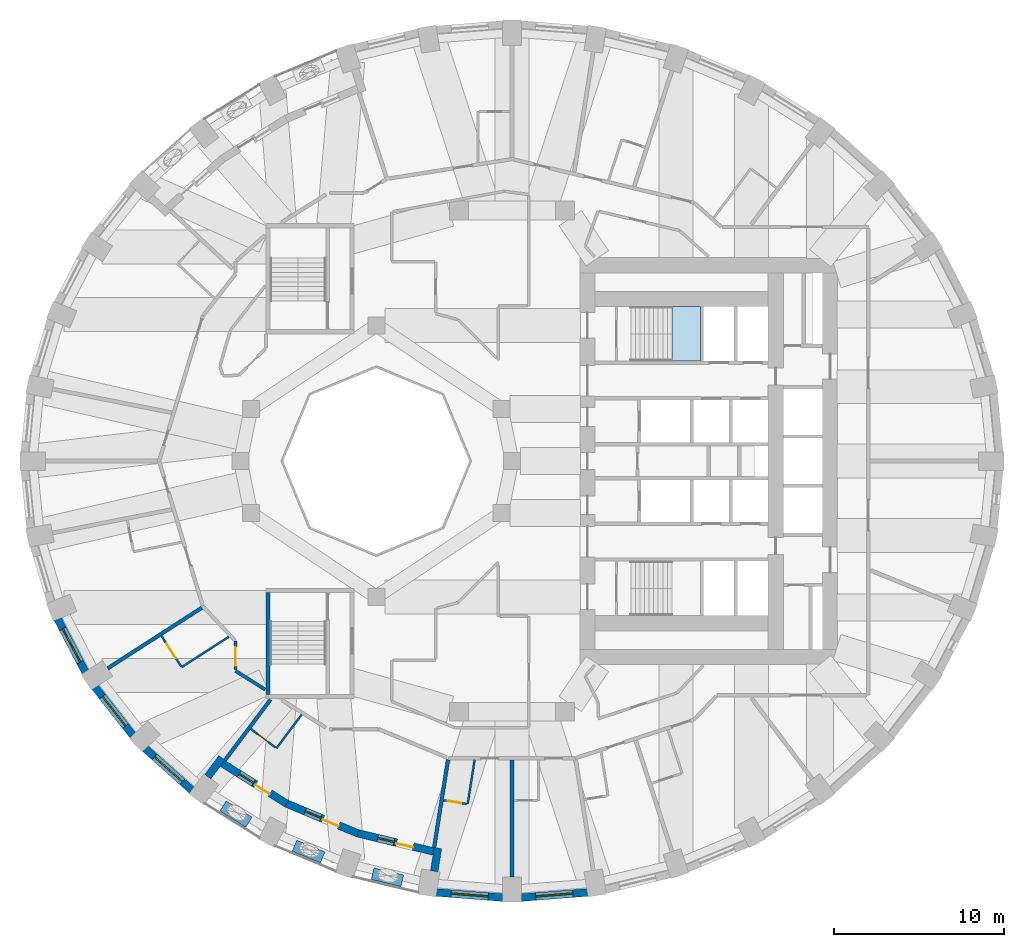
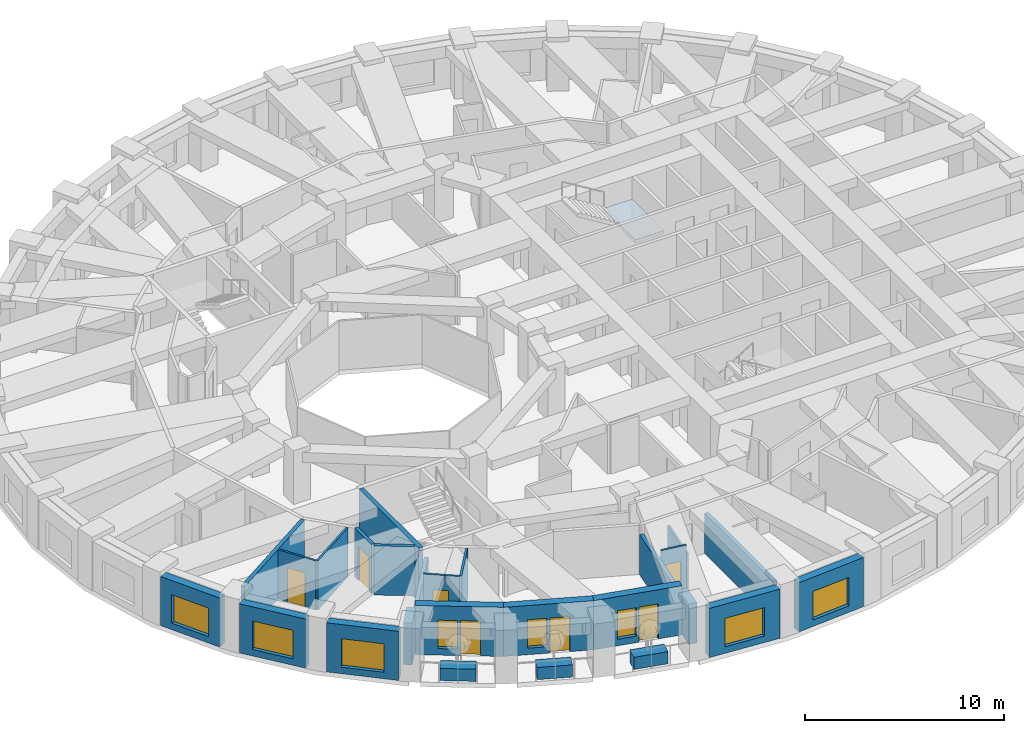
# One storey, part 3 of 13: 26 walls, 8 windows, 7 doors, 1 slab, 15 openings, 1 element without a shape of its own.
"""IFC4 building model written with IfcOpenShell, lengths in metres."""

from ifc_helpers import new_model, si_unit, direction, frame, frame_2d, origin, place, context, subcontext, project, spatial, polyline, rectangle, outline, extrude, material, layer, layer_set, constituent, constituent_set, type_object, element, fill, aggregate, save


model = new_model("IFC4")

# Units and contexts
model_context = context("Model", 3, precision=1e-05, world=origin(), true_north=direction((0.0, 1.0)))
body_context = subcontext(model_context, "Body", "Model", "MODEL_VIEW")
ifc_project = project(units=[si_unit("LENGTHUNIT", "METRE"), si_unit("AREAUNIT", "SQUARE_METRE"), si_unit("VOLUMEUNIT", "CUBIC_METRE"), si_unit("PLANEANGLEUNIT", "RADIAN"), si_unit("MASSUNIT", "GRAM", prefix="KILO")], contexts=[model_context])

# Site, building, storey
site_placement = place(None, origin())
site = spatial("IfcSite", under=ifc_project, at=site_placement, CompositionType="ELEMENT")
building_placement = place(site_placement, origin())
building = spatial("IfcBuilding", under=site, at=building_placement, Name="Taillehof Tower", CompositionType="ELEMENT")
storey_placement = place(building_placement, frame((0.0, 0.0, 48.10009765625)))
storey = spatial("IfcBuildingStorey", under=building, at=storey_placement, Name="L12", CompositionType="ELEMENT", Elevation=48.10009765625)

# Stair, slab
ifc_material_1 = material(Name="Concrete C40/50", Category="concrete")
stair_type = type_object("IfcStairType", Name="Exit stair half-turn", PredefinedType="HALF_TURN_STAIR", material=ifc_material_1)
stair_placement = place(storey_placement, origin())
stair = element("IfcStair", 1, at=stair_placement, inside=storey, type_object=stair_type, Name="Exit stair S1", PredefinedType="HALF_TURN_STAIR")
ifc_material_2 = material(Name="Concrete C40/50", Category="concrete")
ifc_layer_1 = layer(ifc_material_2, 0.2099609375)
ifc_layer_set_1 = layer_set([ifc_layer_1], Name="Stair landing C40/50 210")
slab_type = type_object("IfcSlabType", Name="Stair landing C40/50 210", PredefinedType="LANDING", material=ifc_layer_set_1)
slab_placement = place(storey_placement, frame((0.0, 0.0, 1.43994140625)))
slab = element("IfcSlab", 2, at=slab_placement, type_object=slab_type, Name="S1 landing 1", PredefinedType="LANDING", context=body_context, shape_type="SweptSolid", body=[
    extrude(outline(polyline([(9.429931640625, 5.89990234375), (11.10009765625, 5.89990234375), (11.10009765625, 9.10009765625), (9.429931640625, 9.10009765625), (9.429931640625, 5.89990234375)])), origin(), (0.0, 0.0, 1.0), 0.2099609375),
])
aggregate(stair, [slab])

# Wall, opening, window
ifc_material_3 = material(Name="Brick masonry", Category="masonry")
ifc_layer_2 = layer(ifc_material_3, 0.449951171875)
ifc_layer_set_2 = layer_set([ifc_layer_2], Name="Brick infill wall 450")
wall_type_1 = type_object("IfcWallType", Name="Brick infill wall 450", PredefinedType="SOLIDWALL", material=ifc_layer_set_2)
wall_1_placement = place(storey_placement, frame((-26.78564453125, -9.30517578125, 0.0), z_axis=(0.0, 0.0, 1.0), x_axis=(0.462492775226, -0.886623050041, 0.0)))
wall_1 = element("IfcWall", 3, at=wall_1_placement, inside=storey, type_object=wall_type_1, Name="Brick wall L12 bay 21", PredefinedType="SOLIDWALL", context=body_context, shape_type="SweptSolid", body=[
    extrude(rectangle(XDim=3.531982421875, YDim=0.449951171875, at=frame_2d((1.76611328125, 0.0))), origin(), (0.0, 0.0, 1.0), 3.02001953125),
])
opening_1_placement = place(wall_1_placement, frame((0.666015625, 0.0, 0.39990234375)))
opening_1 = element("IfcOpeningElement", 4, at=opening_1_placement, cuts=wall_1, Name="Opening W1", PredefinedType="OPENING", context=body_context, shape_type="SweptSolid", body=[
    extrude(rectangle(XDim=2.199951171875, YDim=1.75, at=frame_2d((1.10009765625, 0.875))), frame((0.0, 0.23486328125, 0.0), z_axis=(0.0, -1.0, 0.0), x_axis=(1.0, 0.0, 0.0)), (0.0, 0.0, 1.0), 0.469970703125),
])
ifc_material_4 = material(Name="Aluminium window frame with clear double glazing", Category="aluminium")
window_type_1 = type_object("IfcWindowType", Name="Deep-set window 2200x1750", PartitioningType="SINGLE_PANEL", PredefinedType="WINDOW", material=ifc_material_4)
window_1_placement = place(opening_1_placement, origin())
window_1 = element("IfcWindow", 5, at=window_1_placement, inside=storey, type_object=window_type_1, Name="W1", OverallHeight=1.75, OverallWidth=2.199951171875, PartitioningType="SINGLE_PANEL", PredefinedType="WINDOW", context=body_context, shape_type="SweptSolid", body=[
    extrude(rectangle(XDim=2.199951171875, YDim=1.75, at=frame_2d((1.10009765625, 0.875))), frame((0.0, 0.034912109375, 0.0), z_axis=(0.0, -1.0, 0.0), x_axis=(1.0, 0.0, 0.0)), (0.0, 0.0, 1.0), 0.06005859375),
])
fill(opening_1, window_1)

wall_2_placement = place(storey_placement, frame((-24.57763671875, -13.327880859375, 0.0), z_axis=(0.0, 0.0, 1.0), x_axis=(0.616661975264, -0.787228053529, 0.0)))
wall_2 = element("IfcWall", 6, at=wall_2_placement, inside=storey, type_object=wall_type_1, Name="Brick wall L12 bay 22", PredefinedType="SOLIDWALL", context=body_context, shape_type="SweptSolid", body=[
    extrude(rectangle(XDim=3.60986328125, YDim=0.449951171875, at=frame_2d((1.804931640625, 0.0))), origin(), (0.0, 0.0, 1.0), 3.02001953125),
])
opening_2_placement = place(wall_2_placement, frame((0.704833984375, 0.0, 0.39990234375)))
opening_2 = element("IfcOpeningElement", 7, at=opening_2_placement, cuts=wall_2, Name="Opening W1", PredefinedType="OPENING", context=body_context, shape_type="SweptSolid", body=[
    extrude(rectangle(XDim=2.199951171875, YDim=1.75, at=frame_2d((1.10009765625, 0.875))), frame((0.0, 0.23486328125, 0.0), z_axis=(0.0, -1.0, 0.0), x_axis=(1.0, 0.0, 0.0)), (0.0, 0.0, 1.0), 0.469970703125),
])
window_2_placement = place(opening_2_placement, origin())
window_2 = element("IfcWindow", 8, at=window_2_placement, inside=storey, type_object=window_type_1, Name="W1", OverallHeight=1.75, OverallWidth=2.199951171875, PartitioningType="SINGLE_PANEL", PredefinedType="WINDOW", context=body_context, shape_type="SweptSolid", body=[
    extrude(rectangle(XDim=2.199951171875, YDim=1.75, at=frame_2d((1.10009765625, 0.875))), frame((0.0, 0.034912109375, 0.0), z_axis=(0.0, -1.0, 0.0), x_axis=(1.0, 0.0, 0.0)), (0.0, 0.0, 1.0), 0.06005859375),
])
fill(opening_2, window_2)

wall_3_placement = place(storey_placement, frame((-21.626708984375, -16.943115234375, 0.0), z_axis=(0.0, 0.0, 1.0), x_axis=(0.745526233716, -0.66647628228, 0.0)))
wall_3 = element("IfcWall", 9, at=wall_3_placement, inside=storey, type_object=wall_type_1, Name="Brick wall L12 bay 23", PredefinedType="SOLIDWALL", context=body_context, shape_type="SweptSolid", body=[
    extrude(rectangle(XDim=3.69677734375, YDim=0.449951171875, at=frame_2d((1.848388671875, 0.0))), origin(), (0.0, 0.0, 1.0), 3.02001953125),
])
opening_3_placement = place(wall_3_placement, frame((0.74853515625, 0.0, 0.39990234375)))
opening_3 = element("IfcOpeningElement", 10, at=opening_3_placement, cuts=wall_3, Name="Opening W1", PredefinedType="OPENING", context=body_context, shape_type="SweptSolid", body=[
    extrude(rectangle(XDim=2.199951171875, YDim=1.75, at=frame_2d((1.10009765625, 0.875))), frame((0.0, 0.23486328125, 0.0), z_axis=(0.0, -1.0, 0.0), x_axis=(1.0, 0.0, 0.0)), (0.0, 0.0, 1.0), 0.469970703125),
])
window_3_placement = place(opening_3_placement, origin())
window_3 = element("IfcWindow", 11, at=window_3_placement, inside=storey, type_object=window_type_1, Name="W1", OverallHeight=1.75, OverallWidth=2.199951171875, PartitioningType="SINGLE_PANEL", PredefinedType="WINDOW", context=body_context, shape_type="SweptSolid", body=[
    extrude(rectangle(XDim=2.199951171875, YDim=1.75, at=frame_2d((1.10009765625, 0.875))), frame((0.0, 0.034912109375, 0.0), z_axis=(0.0, -1.0, 0.0), x_axis=(1.0, 0.0, 0.0)), (0.0, 0.0, 1.0), 0.06005859375),
])
fill(opening_3, window_3)

wall_4_placement = place(storey_placement, frame((-4.457275390625, -25.42578125, 0.0), z_axis=(0.0, 0.0, 1.0), x_axis=(0.996955972145, -0.077966592873, 0.0)))
wall_4 = element("IfcWall", 12, at=wall_4_placement, inside=storey, type_object=wall_type_1, Name="Brick wall L12 bay 27", PredefinedType="SOLIDWALL", context=body_context, shape_type="SweptSolid", body=[
    extrude(rectangle(XDim=3.939208984375, YDim=0.449951171875, at=frame_2d((1.9697265625, 0.0))), origin(), (0.0, 0.0, 1.0), 3.02001953125),
])
opening_4_placement = place(wall_4_placement, frame((0.86962890625, 0.0, 0.39990234375)))
opening_4 = element("IfcOpeningElement", 13, at=opening_4_placement, cuts=wall_4, Name="Opening W1", PredefinedType="OPENING", context=body_context, shape_type="SweptSolid", body=[
    extrude(rectangle(XDim=2.199951171875, YDim=1.75, at=frame_2d((1.10009765625, 0.875))), frame((0.0, 0.23486328125, 0.0), z_axis=(0.0, -1.0, 0.0), x_axis=(1.0, 0.0, 0.0)), (0.0, 0.0, 1.0), 0.469970703125),
])
window_4_placement = place(opening_4_placement, origin())
window_4 = element("IfcWindow", 14, at=window_4_placement, inside=storey, type_object=window_type_1, Name="W1", OverallHeight=1.75, OverallWidth=2.199951171875, PartitioningType="SINGLE_PANEL", PredefinedType="WINDOW", context=body_context, shape_type="SweptSolid", body=[
    extrude(rectangle(XDim=2.199951171875, YDim=1.75, at=frame_2d((1.10009765625, 0.875))), frame((0.0, 0.034912109375, 0.0), z_axis=(0.0, -1.0, 0.0), x_axis=(1.0, 0.0, 0.0)), (0.0, 0.0, 1.0), 0.06005859375),
])
fill(opening_4, window_4)

wall_5_placement = place(storey_placement, frame((0.530029296875, -25.73291015625, 0.0), z_axis=(0.0, 0.0, 1.0), x_axis=(0.996955972145, 0.077966592873, 0.0)))
wall_5 = element("IfcWall", 15, at=wall_5_placement, inside=storey, type_object=wall_type_1, Name="Brick wall L12 bay 28", PredefinedType="SOLIDWALL", context=body_context, shape_type="SweptSolid", body=[
    extrude(rectangle(XDim=3.939208984375, YDim=0.449951171875, at=frame_2d((1.9697265625, 0.0))), origin(), (0.0, 0.0, 1.0), 3.02001953125),
])
opening_5_placement = place(wall_5_placement, frame((0.86962890625, 0.0, 0.39990234375)))
opening_5 = element("IfcOpeningElement", 16, at=opening_5_placement, cuts=wall_5, Name="Opening W1", PredefinedType="OPENING", context=body_context, shape_type="SweptSolid", body=[
    extrude(rectangle(XDim=2.199951171875, YDim=1.75, at=frame_2d((1.10009765625, 0.875))), frame((0.0, 0.23486328125, 0.0), z_axis=(0.0, -1.0, 0.0), x_axis=(1.0, 0.0, 0.0)), (0.0, 0.0, 1.0), 0.469970703125),
])
window_5_placement = place(opening_5_placement, origin())
window_5 = element("IfcWindow", 17, at=window_5_placement, inside=storey, type_object=window_type_1, Name="W1", OverallHeight=1.75, OverallWidth=2.199951171875, PartitioningType="SINGLE_PANEL", PredefinedType="WINDOW", context=body_context, shape_type="SweptSolid", body=[
    extrude(rectangle(XDim=2.199951171875, YDim=1.75, at=frame_2d((1.10009765625, 0.875))), frame((0.0, 0.034912109375, 0.0), z_axis=(0.0, -1.0, 0.0), x_axis=(1.0, 0.0, 0.0)), (0.0, 0.0, 1.0), 0.06005859375),
])
fill(opening_5, window_5)

# Walls
wall_6_placement = place(storey_placement, frame((-17.931640625, -18.60009765625, 0.0), z_axis=(0.0, 0.0, 1.0), x_axis=(0.601262851241, 0.799051302306, 0.0)))
element("IfcWall", 18, at=wall_6_placement, inside=storey, type_object=wall_type_1, Name="Brick reveal L12 pocket 7", PredefinedType="SOLIDWALL", context=body_context, shape_type="SweptSolid", body=[
    extrude(rectangle(XDim=1.39111328125, YDim=0.449951171875, at=frame_2d((0.695556640625, 0.0))), origin(), (0.0, 0.0, 1.0), 2.56982421875),
])
wall_7_placement = place(storey_placement, frame((-4.58251953125, -24.178466796875, 0.0), z_axis=(0.0, 0.0, 1.0), x_axis=(0.156133927791, 0.98773589415, 0.0)))
element("IfcWall", 19, at=wall_7_placement, inside=storey, type_object=wall_type_1, Name="Brick reveal L12 pocket 7", PredefinedType="SOLIDWALL", context=body_context, shape_type="SweptSolid", body=[
    extrude(rectangle(XDim=1.39013671875, YDim=0.449951171875, at=frame_2d((0.695068359375, 0.0))), origin(), (0.0, 0.0, 1.0), 2.469970703125),
])

# Wall, openings, door, window
wall_8_placement = place(storey_placement, frame((-17.062255859375, -17.81884765625, 0.0), z_axis=(0.0, 0.0, 1.0), x_axis=(0.846990101364, -0.531608660757, 0.0)))
wall_8 = element("IfcWall", 20, at=wall_8_placement, inside=storey, type_object=wall_type_1, Name="Brick wall L12 pocket bay 24", PredefinedType="SOLIDWALL", context=body_context, shape_type="SweptSolid", body=[
    extrude(rectangle(XDim=4.468994140625, YDim=0.449951171875, at=frame_2d((2.234375, 0.0))), origin(), (0.0, 0.0, 1.0), 3.02001953125),
])
opening_6_placement = place(wall_8_placement, frame((1.159423828125, 0.0, 0.39990234375)))
opening_6 = element("IfcOpeningElement", 21, at=opening_6_placement, cuts=wall_8, Name="Opening W5", PredefinedType="OPENING", context=body_context, shape_type="SweptSolid", body=[
    extrude(rectangle(XDim=1.0, YDim=1.75, at=frame_2d((0.5, 0.875))), frame((0.0, 0.23486328125, 0.0), z_axis=(0.0, -1.0, 0.0), x_axis=(1.0, 0.0, 0.0)), (0.0, 0.0, 1.0), 0.469970703125),
])
opening_7_placement = place(wall_8_placement, frame((2.3095703125, 0.0, 0.0)))
opening_7 = element("IfcOpeningElement", 22, at=opening_7_placement, cuts=wall_8, Name="Opening D1291", PredefinedType="OPENING", context=body_context, shape_type="SweptSolid", body=[
    extrude(rectangle(XDim=1.0, YDim=2.14990234375, at=frame_2d((0.5, 1.074951171875))), frame((0.0, 0.23486328125, 0.0), z_axis=(0.0, -1.0, 0.0), x_axis=(1.0, 0.0, 0.0)), (0.0, 0.0, 1.0), 0.469970703125),
])
ifc_material_5 = material(Name="Aluminium door frame with clear double glazing", Category="aluminium")
door_type_1 = type_object("IfcDoorType", Name="Balcony door 1000x2150", OperationType="SINGLE_SWING_RIGHT", PredefinedType="DOOR", material=ifc_material_5)
door_1_placement = place(opening_7_placement, frame((1.0, 0.0, 0.0), z_axis=(0.0, 0.0, 1.0), x_axis=(-1.0, 0.0, 0.0)))
door_1 = element("IfcDoor", 23, at=door_1_placement, inside=storey, type_object=door_type_1, Name="Balcony door L12 bay 24", OperationType="SINGLE_SWING_RIGHT", OverallHeight=2.14990234375, OverallWidth=1.0, PredefinedType="DOOR", context=body_context, shape_type="SweptSolid", body=[
    extrude(rectangle(XDim=1.0, YDim=2.14990234375, at=frame_2d((0.5, 1.074951171875))), frame((0.0, 0.0751953125, 0.0), z_axis=(0.0, -1.0, 0.0), x_axis=(1.0, 0.0, 0.0)), (0.0, 0.0, 1.0), 0.050048828125),
])
fill(opening_7, door_1)
ifc_material_6 = material(Name="Aluminium window frame with clear double glazing", Category="aluminium")
window_type_2 = type_object("IfcWindowType", Name="Fixed window 1000x1750", PartitioningType="SINGLE_PANEL", PredefinedType="WINDOW", material=ifc_material_6)
window_6_placement = place(opening_6_placement, origin())
window_6 = element("IfcWindow", 24, at=window_6_placement, inside=storey, type_object=window_type_2, Name="W5", OverallHeight=1.75, OverallWidth=1.0, PartitioningType="SINGLE_PANEL", PredefinedType="WINDOW", context=body_context, shape_type="SweptSolid", body=[
    extrude(rectangle(XDim=1.0, YDim=1.75, at=frame_2d((0.5, 0.875))), frame((0.0, 0.034912109375, 0.0), z_axis=(0.0, -1.0, 0.0), x_axis=(1.0, 0.0, 0.0)), (0.0, 0.0, 1.0), 0.06005859375),
])
fill(opening_6, window_6)

wall_9_placement = place(storey_placement, frame((-13.31005859375, -20.177734375, 0.0), z_axis=(0.0, 0.0, 1.0), x_axis=(0.922634412489, -0.385675693935, 0.0)))
wall_9 = element("IfcWall", 25, at=wall_9_placement, inside=storey, type_object=wall_type_1, Name="Brick wall L12 pocket bay 25", PredefinedType="SOLIDWALL", context=body_context, shape_type="SweptSolid", body=[
    extrude(rectangle(XDim=4.57666015625, YDim=0.449951171875, at=frame_2d((2.288330078125, 0.0))), origin(), (0.0, 0.0, 1.0), 3.02001953125),
])
opening_8_placement = place(wall_9_placement, frame((1.21337890625, 0.0, 0.39990234375)))
opening_8 = element("IfcOpeningElement", 26, at=opening_8_placement, cuts=wall_9, Name="Opening W5", PredefinedType="OPENING", context=body_context, shape_type="SweptSolid", body=[
    extrude(rectangle(XDim=1.0, YDim=1.75, at=frame_2d((0.5, 0.875))), frame((0.0, 0.23486328125, 0.0), z_axis=(0.0, -1.0, 0.0), x_axis=(1.0, 0.0, 0.0)), (0.0, 0.0, 1.0), 0.469970703125),
])
opening_9_placement = place(wall_9_placement, frame((2.36328125, 0.0, 0.0)))
opening_9 = element("IfcOpeningElement", 27, at=opening_9_placement, cuts=wall_9, Name="Opening D1292", PredefinedType="OPENING", context=body_context, shape_type="SweptSolid", body=[
    extrude(rectangle(XDim=1.0, YDim=2.14990234375, at=frame_2d((0.5, 1.074951171875))), frame((0.0, 0.23486328125, 0.0), z_axis=(0.0, -1.0, 0.0), x_axis=(1.0, 0.0, 0.0)), (0.0, 0.0, 1.0), 0.469970703125),
])
door_2_placement = place(opening_9_placement, frame((1.0, 0.0, 0.0), z_axis=(0.0, 0.0, 1.0), x_axis=(-1.0, 0.0, 0.0)))
door_2 = element("IfcDoor", 28, at=door_2_placement, inside=storey, type_object=door_type_1, Name="Balcony door L12 bay 25", OperationType="SINGLE_SWING_LEFT", OverallHeight=2.14990234375, OverallWidth=1.0, PredefinedType="DOOR", context=body_context, shape_type="SweptSolid", body=[
    extrude(rectangle(XDim=1.0, YDim=2.14990234375, at=frame_2d((0.5, 1.074951171875))), frame((0.0, 0.0751953125, 0.0), z_axis=(0.0, -1.0, 0.0), x_axis=(1.0, 0.0, 0.0)), (0.0, 0.0, 1.0), 0.050048828125),
])
fill(opening_9, door_2)
window_7_placement = place(opening_8_placement, origin())
window_7 = element("IfcWindow", 29, at=window_7_placement, inside=storey, type_object=window_type_2, Name="W5", OverallHeight=1.75, OverallWidth=1.0, PartitioningType="SINGLE_PANEL", PredefinedType="WINDOW", context=body_context, shape_type="SweptSolid", body=[
    extrude(rectangle(XDim=1.0, YDim=1.75, at=frame_2d((0.5, 0.875))), frame((0.0, 0.034912109375, 0.0), z_axis=(0.0, -1.0, 0.0), x_axis=(1.0, 0.0, 0.0)), (0.0, 0.0, 1.0), 0.06005859375),
])
fill(opening_8, window_7)

wall_10_placement = place(storey_placement, frame((-9.12158203125, -21.931640625, 0.0), z_axis=(0.0, 0.0, 1.0), x_axis=(0.972346547441, -0.233542697764, 0.0)))
wall_10 = element("IfcWall", 30, at=wall_10_placement, inside=storey, type_object=wall_type_1, Name="Brick wall L12 pocket bay 26", PredefinedType="SOLIDWALL", context=body_context, shape_type="SweptSolid", body=[
    extrude(rectangle(XDim=4.623779296875, YDim=0.449951171875, at=frame_2d((2.31201171875, 0.0))), origin(), (0.0, 0.0, 1.0), 3.02001953125),
])
opening_10_placement = place(wall_10_placement, frame((1.23681640625, 0.0, 0.39990234375)))
opening_10 = element("IfcOpeningElement", 31, at=opening_10_placement, cuts=wall_10, Name="Opening W5", PredefinedType="OPENING", context=body_context, shape_type="SweptSolid", body=[
    extrude(rectangle(XDim=1.0, YDim=1.75, at=frame_2d((0.5, 0.875))), frame((0.0, 0.23486328125, 0.0), z_axis=(0.0, -1.0, 0.0), x_axis=(1.0, 0.0, 0.0)), (0.0, 0.0, 1.0), 0.469970703125),
])
opening_11_placement = place(wall_10_placement, frame((2.38671875, 0.0, 0.0)))
opening_11 = element("IfcOpeningElement", 32, at=opening_11_placement, cuts=wall_10, Name="Opening D1293", PredefinedType="OPENING", context=body_context, shape_type="SweptSolid", body=[
    extrude(rectangle(XDim=1.0, YDim=2.14990234375, at=frame_2d((0.5, 1.074951171875))), frame((0.0, 0.23486328125, 0.0), z_axis=(0.0, -1.0, 0.0), x_axis=(1.0, 0.0, 0.0)), (0.0, 0.0, 1.0), 0.469970703125),
])
door_3_placement = place(opening_11_placement, frame((1.0, 0.0, 0.0), z_axis=(0.0, 0.0, 1.0), x_axis=(-1.0, 0.0, 0.0)))
door_3 = element("IfcDoor", 33, at=door_3_placement, inside=storey, type_object=door_type_1, Name="Balcony door L12 bay 26", OperationType="SINGLE_SWING_LEFT", OverallHeight=2.14990234375, OverallWidth=1.0, PredefinedType="DOOR", context=body_context, shape_type="SweptSolid", body=[
    extrude(rectangle(XDim=1.0, YDim=2.14990234375, at=frame_2d((0.5, 1.074951171875))), frame((0.0, 0.0751953125, 0.0), z_axis=(0.0, -1.0, 0.0), x_axis=(1.0, 0.0, 0.0)), (0.0, 0.0, 1.0), 0.050048828125),
])
fill(opening_11, door_3)
window_8_placement = place(opening_10_placement, origin())
window_8 = element("IfcWindow", 34, at=window_8_placement, inside=storey, type_object=window_type_2, Name="W5", OverallHeight=1.75, OverallWidth=1.0, PartitioningType="SINGLE_PANEL", PredefinedType="WINDOW", context=body_context, shape_type="SweptSolid", body=[
    extrude(rectangle(XDim=1.0, YDim=1.75, at=frame_2d((0.5, 0.875))), frame((0.0, 0.034912109375, 0.0), z_axis=(0.0, -1.0, 0.0), x_axis=(1.0, 0.0, 0.0)), (0.0, 0.0, 1.0), 0.06005859375),
])
fill(opening_10, window_8)

# Wall
ifc_material_7 = material(Name="Gypsum board on steel studs, two layers each side", Category="steel")
ifc_layer_3 = layer(ifc_material_7, 0.199951171875)
ifc_layer_set_3 = layer_set([ifc_layer_3], Name="Compartment wall corridor 200")
wall_type_2 = type_object("IfcWallType", Name="Compartment wall corridor 200", PredefinedType="PARTITIONING", material=ifc_layer_set_3)
wall_11_placement = place(storey_placement, frame((-14.544677734375, -13.46630859375, 0.0), z_axis=(0.0, 0.0, 1.0), x_axis=(-0.846977572949, 0.53162862124, 0.0)))
element("IfcWall", 35, at=wall_11_placement, inside=storey, type_object=wall_type_2, Name="Compartment wall", PredefinedType="PARTITIONING", context=body_context, shape_type="SweptSolid", body=[
    extrude(rectangle(XDim=2.072509765625, YDim=0.199951171875, at=frame_2d((1.0361328125, 0.0))), origin(), (0.0, 0.0, 1.0), 3.02001953125),
])

# Wall, opening, door
wall_12_placement = place(storey_placement, frame((-16.300048828125, -12.284423828125, 0.0), z_axis=(0.0, 0.0, 1.0), x_axis=(0.0, 1.0, 0.0)))
wall_12 = element("IfcWall", 36, at=wall_12_placement, inside=storey, type_object=wall_type_2, Name="Compartment wall", PredefinedType="PARTITIONING", context=body_context, shape_type="SweptSolid", body=[
    extrude(rectangle(XDim=1.677978515625, YDim=0.199951171875, at=frame_2d((0.8388671875, 0.0))), origin(), (0.0, 0.0, 1.0), 3.02001953125),
])
opening_12_placement = place(wall_12_placement, frame((0.219970703125, 0.0, 0.0)))
opening_12 = element("IfcOpeningElement", 37, at=opening_12_placement, cuts=wall_12, Name="Opening D1254", PredefinedType="OPENING", context=body_context, shape_type="SweptSolid", body=[
    extrude(rectangle(XDim=1.10009765625, YDim=2.10009765625, at=frame_2d((0.550048828125, 1.050048828125))), frame((0.0, 0.10986328125, 0.0), z_axis=(0.0, -1.0, 0.0), x_axis=(1.0, 0.0, 0.0)), (0.0, 0.0, 1.0), 0.219970703125),
])
ifc_material_8 = material(Name="Timber door leaf in steel frame", Category="steel")
door_type_2 = type_object("IfcDoorType", Name="Accessible guest room door EI 30 1100 x 2100", OperationType="SINGLE_SWING_LEFT", PredefinedType="DOOR", material=ifc_material_8)
door_4_placement = place(opening_12_placement, origin())
door_4 = element("IfcDoor", 38, at=door_4_placement, inside=storey, type_object=door_type_2, Name="D1254", OperationType="SINGLE_SWING_RIGHT", OverallHeight=2.10009765625, OverallWidth=1.10009765625, PredefinedType="DOOR", context=body_context, shape_type="SweptSolid", body=[
    extrude(rectangle(XDim=1.10009765625, YDim=2.10009765625, at=frame_2d((0.550048828125, 1.050048828125))), frame((0.0, 0.02490234375, 0.0), z_axis=(0.0, -1.0, 0.0), x_axis=(1.0, 0.0, 0.0)), (0.0, 0.0, 1.0), 0.050048828125),
])
fill(opening_12, door_4)

# Walls
ifc_material_9 = material(Name="Gypsum board on double steel studs with mineral wool", Category="steel")
ifc_layer_4 = layer(ifc_material_9, 0.219970703125)
ifc_layer_set_4 = layer_set([ifc_layer_4], Name="Compartment wall guest room 220")
wall_type_3 = type_object("IfcWallType", Name="Compartment wall guest room 220", PredefinedType="PARTITIONING", material=ifc_layer_set_4)
wall_13_placement = place(storey_placement, frame((-23.834716796875, -12.218994140625, 0.0), z_axis=(0.0, 0.0, 1.0), x_axis=(0.840757959101, 0.541411169268, 0.0)))
element("IfcWall", 39, at=wall_13_placement, inside=storey, type_object=wall_type_3, Name="Compartment wall", PredefinedType="PARTITIONING", context=body_context, shape_type="SweptSolid", body=[
    extrude(rectangle(XDim=6.606201171875, YDim=0.219970703125, at=frame_2d((3.30322265625, 0.0))), origin(), (0.0, 0.0, 1.0), 3.02001953125),
])
wall_14_placement = place(storey_placement, frame((-16.926513671875, -17.638427734375, 0.0), z_axis=(0.0, 0.0, 1.0), x_axis=(0.601158965663, 0.799129462605, 0.0)))
element("IfcWall", 40, at=wall_14_placement, inside=storey, type_object=wall_type_3, Name="Compartment wall", PredefinedType="PARTITIONING", context=body_context, shape_type="SweptSolid", body=[
    extrude(rectangle(XDim=4.480224609375, YDim=0.219970703125, at=frame_2d((2.240234375, 0.0))), origin(), (0.0, 0.0, 1.0), 2.56982421875),
])
wall_15_placement = place(storey_placement, frame((-4.590576171875, -22.78857421875, 0.0), z_axis=(0.0, 0.0, 1.0), x_axis=(0.156110671429, 0.987739570062, 0.0)))
element("IfcWall", 41, at=wall_15_placement, inside=storey, type_object=wall_type_3, Name="Compartment wall", PredefinedType="PARTITIONING", context=body_context, shape_type="SweptSolid", body=[
    extrude(rectangle(XDim=5.24853515625, YDim=0.219970703125, at=frame_2d((2.624267578125, 0.0))), origin(), (0.0, 0.0, 1.0), 2.469970703125),
])
wall_16_placement = place(storey_placement, frame((0.0, -24.5, 0.0), z_axis=(0.0, 0.0, 1.0), x_axis=(0.0, 1.0, 0.0)))
element("IfcWall", 42, at=wall_16_placement, inside=storey, type_object=wall_type_3, Name="Compartment wall", PredefinedType="PARTITIONING", context=body_context, shape_type="SweptSolid", body=[
    extrude(rectangle(XDim=6.894287109375, YDim=0.219970703125, at=frame_2d((3.447265625, 0.0))), origin(), (0.0, 0.0, 1.0), 2.469970703125),
])
ifc_material_10 = material(Name="Gypsum board on steel studs, moisture resistant", Category="steel")
ifc_layer_5 = layer(ifc_material_10, 0.1201171875)
ifc_layer_set_5 = layer_set([ifc_layer_5], Name="En-suite wall 120")
wall_type_4 = type_object("IfcWallType", Name="En-suite wall 120", PredefinedType="PARTITIONING", material=ifc_layer_set_5)
wall_17_placement = place(storey_placement, frame((-16.697265625, -10.358154296875, 0.0), z_axis=(0.0, 0.0, 1.0), x_axis=(-0.84073116979, -0.541452768156, 0.0)))
element("IfcWall", 43, at=wall_17_placement, inside=storey, type_object=wall_type_4, Name="En-suite wall", PredefinedType="PARTITIONING", context=body_context, shape_type="SweptSolid", body=[
    extrude(rectangle(XDim=3.300537109375, YDim=0.1201171875, at=frame_2d((1.650390625, 0.0))), origin(), (0.0, 0.0, 1.0), 3.02001953125),
])
wall_18_placement = place(storey_placement, frame((-12.390869140625, -14.936279296875, 0.0), z_axis=(0.0, 0.0, 1.0), x_axis=(-0.601209195786, -0.799091673654, 0.0)))
element("IfcWall", 44, at=wall_18_placement, inside=storey, type_object=wall_type_4, Name="En-suite wall", PredefinedType="PARTITIONING", context=body_context, shape_type="SweptSolid", body=[
    extrude(rectangle(XDim=2.486083984375, YDim=0.1201171875, at=frame_2d((1.2431640625, 0.0))), origin(), (0.0, 0.0, 1.0), 3.02001953125),
])
wall_19_placement = place(storey_placement, frame((-2.201904296875, -17.605712890625, 0.0), z_axis=(0.0, 0.0, 1.0), x_axis=(-0.156156996107, -0.987732247407, 0.0)))
element("IfcWall", 45, at=wall_19_placement, inside=storey, type_object=wall_type_4, Name="En-suite wall", PredefinedType="PARTITIONING", context=body_context, shape_type="SweptSolid", body=[
    extrude(rectangle(XDim=2.643798828125, YDim=0.1201171875, at=frame_2d((1.32177734375, 0.0))), origin(), (0.0, 0.0, 1.0), 2.469970703125),
])

# Wall, opening, door
wall_20_placement = place(storey_placement, frame((-19.50439453125, -12.0947265625, 0.0), z_axis=(0.0, 0.0, 1.0), x_axis=(-0.541591545821, 0.840641777153, 0.0)))
wall_20 = element("IfcWall", 46, at=wall_20_placement, inside=storey, type_object=wall_type_4, Name="En-suite wall", PredefinedType="PARTITIONING", context=body_context, shape_type="SweptSolid", body=[
    extrude(rectangle(XDim=2.1298828125, YDim=0.1201171875, at=frame_2d((1.06494140625, 0.0))), origin(), (0.0, 0.0, 1.0), 3.02001953125),
])
opening_13_placement = place(wall_20_placement, frame((0.590087890625, 0.0, 0.0)))
opening_13 = element("IfcOpeningElement", 47, at=opening_13_placement, cuts=wall_20, Name="Opening D1255", PredefinedType="OPENING", context=body_context, shape_type="SweptSolid", body=[
    extrude(rectangle(XDim=1.0, YDim=2.10009765625, at=frame_2d((0.5, 1.050048828125))), frame((0.0, 0.070068359375, 0.0), z_axis=(0.0, -1.0, 0.0), x_axis=(1.0, 0.0, 0.0)), (0.0, 0.0, 1.0), 0.14013671875),
])
ifc_material_11 = material(Name="Timber door leaf in steel frame", Category="steel")
door_type_3 = type_object("IfcDoorType", Name="Accessible en-suite door 1000 x 2100", OperationType="SINGLE_SWING_LEFT", PredefinedType="DOOR", material=ifc_material_11)
door_5_placement = place(opening_13_placement, origin())
door_5 = element("IfcDoor", 48, at=door_5_placement, inside=storey, type_object=door_type_3, Name="D1255", OperationType="SINGLE_SWING_RIGHT", OverallHeight=2.10009765625, OverallWidth=1.0, PredefinedType="DOOR", context=body_context, shape_type="SweptSolid", body=[
    extrude(rectangle(XDim=1.0, YDim=2.10009765625, at=frame_2d((0.5, 1.050048828125))), frame((0.0, 0.02490234375, 0.0), z_axis=(0.0, -1.0, 0.0), x_axis=(1.0, 0.0, 0.0)), (0.0, 0.0, 1.0), 0.050048828125),
])
fill(opening_13, door_5)

wall_21_placement = place(storey_placement, frame((-13.933349609375, -16.88671875, 0.0), z_axis=(0.0, 0.0, 1.0), x_axis=(-0.799134663307, 0.601152052231, 0.0)))
wall_21 = element("IfcWall", 49, at=wall_21_placement, inside=storey, type_object=wall_type_4, Name="En-suite wall", PredefinedType="PARTITIONING", context=body_context, shape_type="SweptSolid", body=[
    extrude(rectangle(XDim=1.830078125, YDim=0.1201171875, at=frame_2d((0.9150390625, 0.0))), origin(), (0.0, 0.0, 1.0), 3.02001953125),
])
opening_14_placement = place(wall_21_placement, frame((0.5400390625, 0.0, 0.0)))
opening_14 = element("IfcOpeningElement", 50, at=opening_14_placement, cuts=wall_21, Name="Opening D1257", PredefinedType="OPENING", context=body_context, shape_type="SweptSolid", body=[
    extrude(rectangle(XDim=0.800048828125, YDim=2.10009765625, at=frame_2d((0.39990234375, 1.050048828125))), frame((0.0, 0.070068359375, 0.0), z_axis=(0.0, -1.0, 0.0), x_axis=(1.0, 0.0, 0.0)), (0.0, 0.0, 1.0), 0.14013671875),
])
ifc_material_12 = material(Name="Timber door leaf in steel frame", Category="steel")
door_type_4 = type_object("IfcDoorType", Name="En-suite door 800 x 2100", OperationType="SINGLE_SWING_LEFT", PredefinedType="DOOR", material=ifc_material_12)
door_6_placement = place(opening_14_placement, origin())
door_6 = element("IfcDoor", 51, at=door_6_placement, inside=storey, type_object=door_type_4, Name="D1257", OperationType="SINGLE_SWING_RIGHT", OverallHeight=2.10009765625, OverallWidth=0.800048828125, PredefinedType="DOOR", context=body_context, shape_type="SweptSolid", body=[
    extrude(rectangle(XDim=0.800048828125, YDim=2.10009765625, at=frame_2d((0.39990234375, 1.050048828125))), frame((0.0, 0.02490234375, 0.0), z_axis=(0.0, -1.0, 0.0), x_axis=(1.0, 0.0, 0.0)), (0.0, 0.0, 1.0), 0.050048828125),
])
fill(opening_14, door_6)

wall_22_placement = place(storey_placement, frame((-2.674072265625, -20.207763671875, 0.0), z_axis=(0.0, 0.0, 1.0), x_axis=(-0.987695455518, 0.156389536571, 0.0)))
wall_22 = element("IfcWall", 52, at=wall_22_placement, inside=storey, type_object=wall_type_4, Name="En-suite wall", PredefinedType="PARTITIONING", context=body_context, shape_type="SweptSolid", body=[
    extrude(rectangle(XDim=1.380126953125, YDim=0.1201171875, at=frame_2d((0.68994140625, 0.0))), origin(), (0.0, 0.0, 1.0), 3.02001953125),
])
opening_15_placement = place(wall_22_placement, frame((0.31494140625, 0.0, 0.0)))
opening_15 = element("IfcOpeningElement", 53, at=opening_15_placement, cuts=wall_22, Name="Opening D1259", PredefinedType="OPENING", context=body_context, shape_type="SweptSolid", body=[
    extrude(rectangle(XDim=0.800048828125, YDim=2.10009765625, at=frame_2d((0.39990234375, 1.050048828125))), frame((0.0, 0.070068359375, 0.0), z_axis=(0.0, -1.0, 0.0), x_axis=(1.0, 0.0, 0.0)), (0.0, 0.0, 1.0), 0.14013671875),
])
door_7_placement = place(opening_15_placement, origin())
door_7 = element("IfcDoor", 54, at=door_7_placement, inside=storey, type_object=door_type_4, Name="D1259", OperationType="SINGLE_SWING_RIGHT", OverallHeight=2.10009765625, OverallWidth=0.800048828125, PredefinedType="DOOR", context=body_context, shape_type="SweptSolid", body=[
    extrude(rectangle(XDim=0.800048828125, YDim=2.10009765625, at=frame_2d((0.39990234375, 1.050048828125))), frame((0.0, 0.02490234375, 0.0), z_axis=(0.0, -1.0, 0.0), x_axis=(1.0, 0.0, 0.0)), (0.0, 0.0, 1.0), 0.050048828125),
])
fill(opening_15, door_7)

# Walls
ifc_material_13 = material(Name="Concrete C30/37 precast", Category="concrete")
ifc_constituent_1 = constituent(ifc_material_13, Name="Structure", Category="concrete")
ifc_material_14 = material(Name="Insulated lining")
ifc_constituent_2 = constituent(ifc_material_14, Name="Lining")
ifc_constituent_set = constituent_set(constituents=[ifc_constituent_1, ifc_constituent_2], Name="Planter trough 700x750")
wall_type_5 = type_object("IfcWallType", Name="Planter trough 700x750", PredefinedType="USERDEFINED", material=ifc_constituent_set)
wall_23_placement = place(storey_placement, frame((-17.03173828125, -20.327880859375, 0.0), z_axis=(0.0, 0.0, 1.0), x_axis=(0.847609446823, -0.530620604252, 0.0)))
element("IfcWall", 55, at=wall_23_placement, inside=storey, type_object=wall_type_5, Name="Planter L12 bay 24", ObjectType="PLANTER", PredefinedType="USERDEFINED", context=body_context, shape_type="SweptSolid", body=[
    extrude(rectangle(XDim=1.7998046875, YDim=0.699951171875, at=frame_2d((0.89990234375, 0.0))), origin(), (0.0, 0.0, 1.0), 0.75),
])
for number, where, z_axis, x_axis, name in (
    (56, (-12.816650390625, -22.669677734375, 0.0), (0.0, 0.0, 1.0), (0.923000660042, -0.384798364811, 0.0), "Planter L12 bay 25"),
    (57, (-8.215087890625, -24.318115234375, 0.0), (0.0, 0.0, 1.0), (0.972504142103, -0.232885580473, 0.0), "Planter L12 bay 26"),
):
    element("IfcWall", number, at=place(storey_placement, frame(where, z_axis=z_axis, x_axis=x_axis)), inside=storey, type_object=wall_type_5, Name=name, ObjectType="PLANTER", PredefinedType="USERDEFINED", context=body_context, shape_type="SweptSolid", body=[
        extrude(rectangle(XDim=1.800048828125, YDim=0.699951171875, at=frame_2d((0.89990234375, 0.0))), origin(), (0.0, 0.0, 1.0), 0.75),
    ])
ifc_material_15 = material(Name="Concrete C50/60", Category="concrete")
ifc_layer_6 = layer(ifc_material_15, 0.25)
ifc_layer_set_6 = layer_set([ifc_layer_6], Name="Stair wall C50/60 250")
wall_type_6 = type_object("IfcWallType", Name="Stair wall C50/60 250", PredefinedType="SHEAR", material=ifc_layer_set_6)
wall_24_placement = place(storey_placement, frame((-14.375, -13.75, -0.280029296875), z_axis=(0.0, 0.0, 1.0), x_axis=(0.0, 1.0, 0.0)))
element("IfcWall", 58, at=wall_24_placement, inside=storey, type_object=wall_type_6, Name="Stair wall SC", PredefinedType="SHEAR", context=body_context, shape_type="SweptSolid", body=[
    extrude(rectangle(XDim=6.0, YDim=0.25, at=frame_2d((3.0, 0.0))), origin(), (0.0, 0.0, 1.0), 3.300048828125),
])

save(model, "model.ifc")
